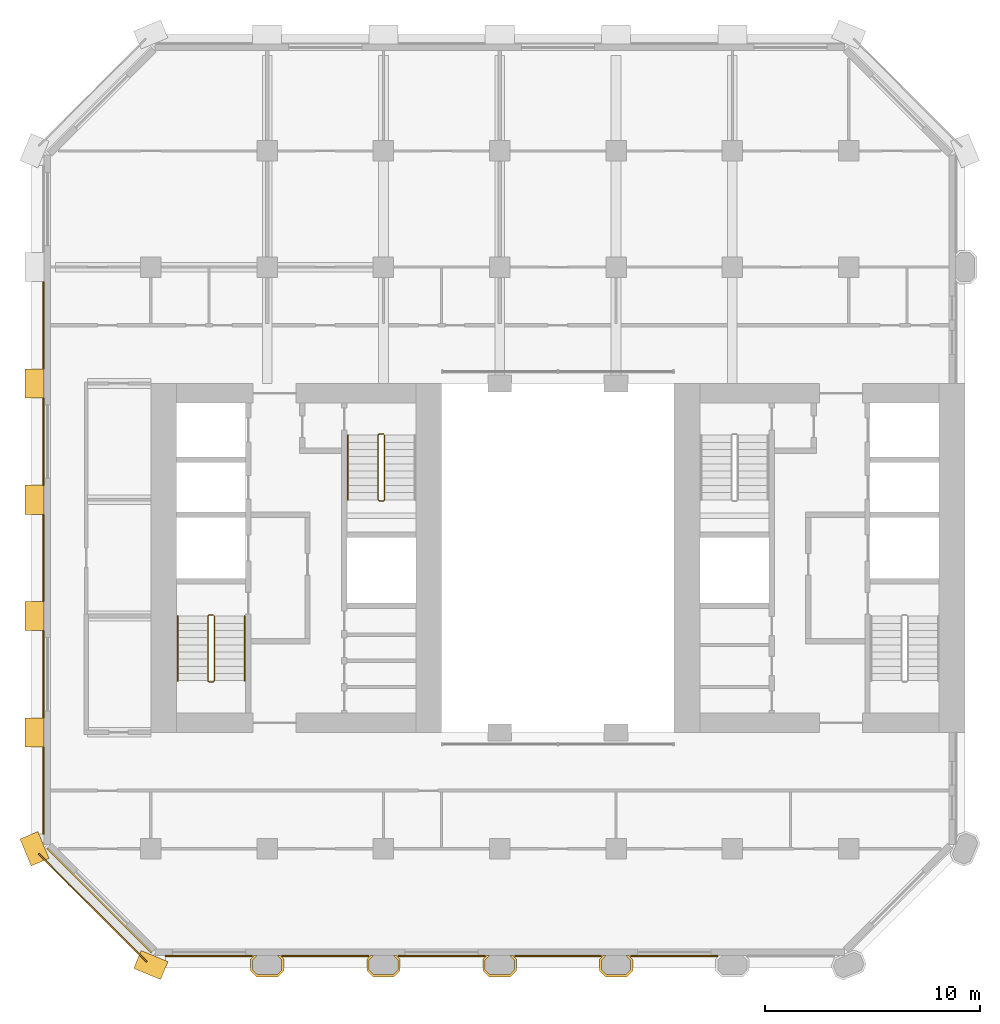
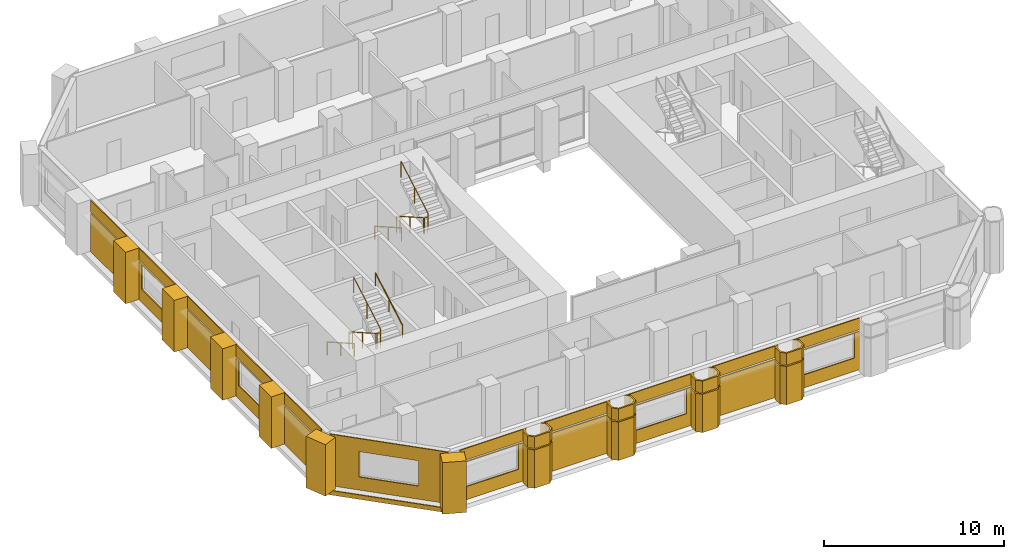
# One storey, part 11 of 13: 36 coverings, 5 railings.
"""IFC4 building model written with IfcOpenShell, lengths in metres."""

from ifc_helpers import new_model, si_unit, direction, frame, frame_2d, origin, origin_2d, place, context, subcontext, project, spatial, polyline, rectangle, circle, outline, extrude, material, layer, layer_set, type_object, element, save


model = new_model("IFC4")

# Units and contexts
model_context = context("Model", 3, precision=1e-05, world=origin(), true_north=direction((0.0, 1.0)))
body_context = subcontext(model_context, "Body", "Model", "MODEL_VIEW")
ifc_project = project(units=[si_unit("LENGTHUNIT", "METRE"), si_unit("AREAUNIT", "SQUARE_METRE"), si_unit("VOLUMEUNIT", "CUBIC_METRE"), si_unit("PLANEANGLEUNIT", "RADIAN"), si_unit("MASSUNIT", "GRAM", prefix="KILO")], contexts=[model_context])

# Site, building, storey
site_placement = place(None, origin())
site = spatial("IfcSite", under=ifc_project, at=site_placement, CompositionType="ELEMENT")
building_placement = place(site_placement, origin())
building = spatial("IfcBuilding", under=site, at=building_placement, Name="Tabaq Tower and Sports Hall", CompositionType="ELEMENT")
storey_placement = place(building_placement, frame((0.0, 0.0, 103.0)))
storey = spatial("IfcBuildingStorey", under=building, at=storey_placement, Name="L24", CompositionType="ELEMENT", Elevation=103.0)

# Coverings
ifc_material_1 = material(Name="Precast concrete C60/75", Category="concrete")
ifc_layer_1 = layer(ifc_material_1, 0.10009765625)
ifc_layer_set_1 = layer_set([ifc_layer_1], Name="Column cladding 100")
covering_type_1 = type_object("IfcCoveringType", Name="Column cladding 100", PredefinedType="CLADDING", material=ifc_layer_set_1)
covering_1_placement = place(storey_placement, origin())
element("IfcCovering", 1, at=covering_1_placement, inside=storey, type_object=covering_type_1, Name="Column cladding L24 PC-3B-O3", PredefinedType="CLADDING", context=body_context, shape_type="SweptSolid", body=[
    extrude(outline(polyline([(10.025390625, 5.666259765625), (10.208740234375, 5.849609375), (10.349365234375, 5.849609375), (10.124755859375, 5.625244140625), (10.124755859375, 5.1748046875), (10.349853515625, 4.94970703125), (11.250244140625, 4.94970703125), (11.475341796875, 5.1748046875), (11.475341796875, 5.625244140625), (11.250732421875, 5.849609375), (11.391357421875, 5.849609375), (11.57470703125, 5.666259765625), (11.57470703125, 5.1337890625), (11.291259765625, 4.850341796875), (10.30859375, 4.850341796875), (10.025390625, 5.1337890625), (10.025390625, 5.666259765625)])), origin(), (0.0, 0.0, 1.0), 2.60009765625),
])
covering_2_placement = place(storey_placement, frame((0.0, 0.0, 2.699951171875)))
element("IfcCovering", 2, at=covering_2_placement, inside=storey, type_object=covering_type_1, Name="Column cladding L24 PC-3B-O3 2", PredefinedType="CLADDING", context=body_context, shape_type="SweptSolid", body=[
    extrude(outline(polyline([(10.025390625, 5.666259765625), (10.208740234375, 5.849609375), (10.349365234375, 5.849609375), (10.124755859375, 5.625244140625), (10.124755859375, 5.1748046875), (10.349853515625, 4.94970703125), (11.250244140625, 4.94970703125), (11.475341796875, 5.1748046875), (11.475341796875, 5.625244140625), (11.250732421875, 5.849609375), (11.391357421875, 5.849609375), (11.57470703125, 5.666259765625), (11.57470703125, 5.1337890625), (11.291259765625, 4.850341796875), (10.30859375, 4.850341796875), (10.025390625, 5.1337890625), (10.025390625, 5.666259765625)])), origin(), (0.0, 0.0, 1.0), 0.800048828125),
])
covering_3_placement = place(storey_placement, origin())
element("IfcCovering", 3, at=covering_3_placement, inside=storey, type_object=covering_type_1, Name="Column cladding L24 PC-4B-O3", PredefinedType="CLADDING", context=body_context, shape_type="SweptSolid", body=[
    extrude(outline(polyline([(15.42529296875, 5.666259765625), (15.608642578125, 5.849609375), (15.749267578125, 5.849609375), (15.524658203125, 5.625244140625), (15.524658203125, 5.1748046875), (15.749755859375, 4.94970703125), (16.650146484375, 4.94970703125), (16.875244140625, 5.1748046875), (16.875244140625, 5.625244140625), (16.650634765625, 5.849609375), (16.791259765625, 5.849609375), (16.974609375, 5.666259765625), (16.974609375, 5.1337890625), (16.69140625, 4.850341796875), (15.708740234375, 4.850341796875), (15.42529296875, 5.1337890625), (15.42529296875, 5.666259765625)])), origin(), (0.0, 0.0, 1.0), 2.60009765625),
])
covering_4_placement = place(storey_placement, frame((0.0, 0.0, 2.699951171875)))
element("IfcCovering", 4, at=covering_4_placement, inside=storey, type_object=covering_type_1, Name="Column cladding L24 PC-4B-O3 2", PredefinedType="CLADDING", context=body_context, shape_type="SweptSolid", body=[
    extrude(outline(polyline([(15.42529296875, 5.666259765625), (15.608642578125, 5.849609375), (15.749267578125, 5.849609375), (15.524658203125, 5.625244140625), (15.524658203125, 5.1748046875), (15.749755859375, 4.94970703125), (16.650146484375, 4.94970703125), (16.875244140625, 5.1748046875), (16.875244140625, 5.625244140625), (16.650634765625, 5.849609375), (16.791259765625, 5.849609375), (16.974609375, 5.666259765625), (16.974609375, 5.1337890625), (16.69140625, 4.850341796875), (15.708740234375, 4.850341796875), (15.42529296875, 5.1337890625), (15.42529296875, 5.666259765625)])), origin(), (0.0, 0.0, 1.0), 0.800048828125),
])
covering_5_placement = place(storey_placement, origin())
element("IfcCovering", 5, at=covering_5_placement, inside=storey, type_object=covering_type_1, Name="Column cladding L24 PC-5B-O3", PredefinedType="CLADDING", context=body_context, shape_type="SweptSolid", body=[
    extrude(outline(polyline([(20.8251953125, 5.666259765625), (21.0087890625, 5.849609375), (21.149169921875, 5.849609375), (20.9248046875, 5.625244140625), (20.9248046875, 5.1748046875), (21.14990234375, 4.94970703125), (22.050048828125, 4.94970703125), (22.275390625, 5.1748046875), (22.275390625, 5.625244140625), (22.05078125, 5.849609375), (22.19140625, 5.849609375), (22.374755859375, 5.666259765625), (22.374755859375, 5.1337890625), (22.09130859375, 4.850341796875), (21.108642578125, 4.850341796875), (20.8251953125, 5.1337890625), (20.8251953125, 5.666259765625)])), origin(), (0.0, 0.0, 1.0), 2.60009765625),
])
covering_6_placement = place(storey_placement, frame((0.0, 0.0, 2.699951171875)))
element("IfcCovering", 6, at=covering_6_placement, inside=storey, type_object=covering_type_1, Name="Column cladding L24 PC-5B-O3 2", PredefinedType="CLADDING", context=body_context, shape_type="SweptSolid", body=[
    extrude(outline(polyline([(20.8251953125, 5.666259765625), (21.0087890625, 5.849609375), (21.149169921875, 5.849609375), (20.9248046875, 5.625244140625), (20.9248046875, 5.1748046875), (21.14990234375, 4.94970703125), (22.050048828125, 4.94970703125), (22.275390625, 5.1748046875), (22.275390625, 5.625244140625), (22.05078125, 5.849609375), (22.19140625, 5.849609375), (22.374755859375, 5.666259765625), (22.374755859375, 5.1337890625), (22.09130859375, 4.850341796875), (21.108642578125, 4.850341796875), (20.8251953125, 5.1337890625), (20.8251953125, 5.666259765625)])), origin(), (0.0, 0.0, 1.0), 0.800048828125),
])
covering_7_placement = place(storey_placement, origin())
element("IfcCovering", 7, at=covering_7_placement, inside=storey, type_object=covering_type_1, Name="Column cladding L24 PC-6B-O3", PredefinedType="CLADDING", context=body_context, shape_type="SweptSolid", body=[
    extrude(outline(polyline([(26.225341796875, 5.666259765625), (26.40869140625, 5.849609375), (26.54931640625, 5.849609375), (26.32470703125, 5.625244140625), (26.32470703125, 5.1748046875), (26.5498046875, 4.94970703125), (27.4501953125, 4.94970703125), (27.67529296875, 5.1748046875), (27.67529296875, 5.625244140625), (27.45068359375, 5.849609375), (27.59130859375, 5.849609375), (27.774658203125, 5.666259765625), (27.774658203125, 5.1337890625), (27.4912109375, 4.850341796875), (26.5087890625, 4.850341796875), (26.225341796875, 5.1337890625), (26.225341796875, 5.666259765625)])), origin(), (0.0, 0.0, 1.0), 2.60009765625),
])
covering_8_placement = place(storey_placement, frame((0.0, 0.0, 2.699951171875)))
element("IfcCovering", 8, at=covering_8_placement, inside=storey, type_object=covering_type_1, Name="Column cladding L24 PC-6B-O3 2", PredefinedType="CLADDING", context=body_context, shape_type="SweptSolid", body=[
    extrude(outline(polyline([(26.225341796875, 5.666259765625), (26.40869140625, 5.849609375), (26.54931640625, 5.849609375), (26.32470703125, 5.625244140625), (26.32470703125, 5.1748046875), (26.5498046875, 4.94970703125), (27.4501953125, 4.94970703125), (27.67529296875, 5.1748046875), (27.67529296875, 5.625244140625), (27.45068359375, 5.849609375), (27.59130859375, 5.849609375), (27.774658203125, 5.666259765625), (27.774658203125, 5.1337890625), (27.4912109375, 4.850341796875), (26.5087890625, 4.850341796875), (26.225341796875, 5.1337890625), (26.225341796875, 5.666259765625)])), origin(), (0.0, 0.0, 1.0), 0.800048828125),
])
ifc_material_2 = material(Name="Precast concrete C60/75", Category="concrete")
ifc_layer_2 = layer(ifc_material_2, 0.06005859375)
ifc_layer_set_2 = layer_set([ifc_layer_2], Name="Edge beam cladding 60")
covering_type_2 = type_object("IfcCoveringType", Name="Edge beam cladding 60", PredefinedType="CLADDING", material=ifc_layer_set_2)
covering_9_placement = place(storey_placement, frame((0.18994140625, 10.567626953125, -0.300048828125), z_axis=(0.0, 0.0, 1.0), x_axis=(0.707106781187, -0.707106781187, 0.0)))
element("IfcCovering", 9, at=covering_9_placement, inside=storey, type_object=covering_type_2, Name="Edge beam cladding L24 5", PredefinedType="CLADDING", context=body_context, shape_type="SweptSolid", body=[
    extrude(rectangle(XDim=7.087890625, YDim=0.06005859375, at=frame_2d((3.5439453125, 0.0))), origin(), (0.0, 0.0, 1.0), 0.300048828125),
])
ifc_material_3 = material(Name="White precast concrete C60/75", Category="concrete")
covering_type_3 = type_object("IfcCoveringType", Name="Pier cladding hung 1350x900", PredefinedType="CLADDING", material=ifc_material_3)
for number, where, z_axis, x_axis, name in (
    (10, (-0.25830078125, 11.423583984375, 0.0), (0.0, 0.0, 1.0), (0.382649923473, -0.923893411637, 0.0), "Hung pier cladding 0/2"),
    (11, (0.0, 16.875, 0.0), (0.0, 0.0, 1.0), (0.0, -1.0, 0.0), "Hung pier cladding 0/3"),
):
    element("IfcCovering", number, at=place(storey_placement, frame(where, z_axis=z_axis, x_axis=x_axis)), inside=storey, type_object=covering_type_3, Name=name, PredefinedType="CLADDING", context=body_context, shape_type="SweptSolid", body=[
        extrude(rectangle(XDim=1.35009765625, YDim=0.89990234375, at=frame_2d((0.675048828125, 0.0))), origin(), (0.0, 0.0, 1.0), 3.5),
    ])
covering_10_placement = place(storey_placement, frame((0.0, 22.27490234375, 0.0), z_axis=(0.0, 0.0, 1.0), x_axis=(0.0, -1.0, 0.0)))
element("IfcCovering", 12, at=covering_10_placement, inside=storey, type_object=covering_type_3, Name="Hung pier cladding 0/4", PredefinedType="CLADDING", context=body_context, shape_type="SweptSolid", body=[
    extrude(rectangle(XDim=1.349853515625, YDim=0.89990234375, at=frame_2d((0.6748046875, 0.0))), origin(), (0.0, 0.0, 1.0), 3.5),
])
covering_11_placement = place(storey_placement, frame((0.0, 27.675048828125, 0.0), z_axis=(0.0, 0.0, 1.0), x_axis=(0.0, -1.0, 0.0)))
element("IfcCovering", 13, at=covering_11_placement, inside=storey, type_object=covering_type_3, Name="Hung pier cladding 0/5", PredefinedType="CLADDING", context=body_context, shape_type="SweptSolid", body=[
    extrude(rectangle(XDim=1.35009765625, YDim=0.89990234375, at=frame_2d((0.675048828125, 0.0))), origin(), (0.0, 0.0, 1.0), 3.5),
])
covering_12_placement = place(storey_placement, frame((0.0, 33.074951171875, 0.0), z_axis=(0.0, 0.0, 1.0), x_axis=(0.0, -1.0, 0.0)))
element("IfcCovering", 14, at=covering_12_placement, inside=storey, type_object=covering_type_3, Name="Hung pier cladding 0/6", PredefinedType="CLADDING", context=body_context, shape_type="SweptSolid", body=[
    extrude(rectangle(XDim=1.349853515625, YDim=0.89990234375, at=frame_2d((0.6748046875, 0.0))), origin(), (0.0, 0.0, 1.0), 3.5),
])
covering_13_placement = place(storey_placement, frame((4.7763671875, 5.658203125, 0.0), z_axis=(0.0, 0.0, 1.0), x_axis=(0.923893411637, -0.382649923473, 0.0)))
element("IfcCovering", 15, at=covering_13_placement, inside=storey, type_object=covering_type_3, Name="Hung pier cladding 1/1", PredefinedType="CLADDING", context=body_context, shape_type="SweptSolid", body=[
    extrude(rectangle(XDim=1.35009765625, YDim=0.89990234375, at=frame_2d((0.675048828125, 0.0))), origin(), (0.0, 0.0, 1.0), 3.5),
])

# Railings
ifc_material_4 = material(Name="Stainless steel", Category="steel")
railing_type_1 = type_object("IfcRailingType", Name="Stair guard", PredefinedType="GUARDRAIL", material=ifc_material_4)
railing_1_placement = place(storey_placement, frame((8.300048828125, 21.64990234375, 0.0)))
element("IfcRailing", 16, at=railing_1_placement, inside=storey, type_object=railing_type_1, Name="L24 ST1 stair guard 1", PredefinedType="GUARDRAIL", context=body_context, shape_type="SweptSolid", body=[
    extrude(circle(Radius=0.02392578125, at=origin_2d()), frame((0.0, 0.0, 1.076171875), z_axis=(-1.0, 0.0, 0.0), x_axis=(0.0, -1.0, 0.0)), (0.0, 0.0, 1.0), 0.199951171875),
    extrude(circle(Radius=0.02392578125, at=origin_2d()), frame((-0.199951171875, 0.0, 1.076171875), z_axis=(-0.246983470365, -0.245778672949, 0.937332389972), x_axis=(0.705375805398, -0.708833529934, 0.0)), (0.0, 0.0, 1.0), 0.20263671875),
    extrude(circle(Radius=0.02392578125, at=origin_2d()), frame((-0.25, -0.0498046875, 1.26611328125), z_axis=(0.0, -0.868782136927, 0.495194505781), x_axis=(1.0, 0.0, 0.0)), (0.0, 0.0, 1.0), 3.453125),
    extrude(circle(Radius=0.02392578125, at=origin_2d()), frame((-0.25, -3.0498046875, 2.97607421875), z_axis=(0.707106781187, -0.707106781187, 0.0), x_axis=(0.707106781187, 0.707106781187, 0.0)), (0.0, 0.0, 1.0), 0.07080078125),
    extrude(circle(Radius=0.02392578125, at=origin_2d()), frame((-0.199951171875, -3.099853515625, 2.97607421875), z_axis=(1.0, 0.0, 0.0), x_axis=(0.0, 1.0, 0.0)), (0.0, 0.0, 1.0), 0.199951171875),
    extrude(circle(Radius=0.02392578125, at=origin_2d()), frame((0.0, -3.099853515625, 2.97607421875), z_axis=(0.246631811833, 0.246631811833, 0.937200884967), x_axis=(-0.707106781187, 0.707106781187, 0.0)), (0.0, 0.0, 1.0), 0.202880859375),
    extrude(circle(Radius=0.02392578125, at=origin_2d()), frame((0.050048828125, -3.0498046875, 3.166015625), z_axis=(0.0, 0.868782136927, 0.495194505781), x_axis=(-1.0, 0.0, 0.0)), (0.0, 0.0, 1.0), 3.453125),
    extrude(circle(Radius=0.02099609375, at=origin_2d()), origin(), (0.0, 0.0, 1.0), 1.052001953125),
    extrude(circle(Radius=0.02099609375, at=origin_2d()), frame((-0.199951171875, 0.0, 0.0)), (0.0, 0.0, 1.0), 1.052001953125),
    extrude(circle(Radius=0.02099609375, at=origin_2d()), frame((-0.25, -0.0498046875, 0.18994140625)), (0.0, 0.0, 1.0), 1.052001953125),
    extrude(circle(Radius=0.02099609375, at=origin_2d()), frame((-0.25, -1.5498046875, 1.044921875)), (0.0, 0.0, 1.0), 1.052001953125),
    extrude(circle(Radius=0.02099609375, at=origin_2d()), frame((-0.25, -3.0498046875, 1.89990234375)), (0.0, 0.0, 1.0), 1.052001953125),
    extrude(circle(Radius=0.02099609375, at=origin_2d()), frame((-0.199951171875, -3.099853515625, 1.89990234375)), (0.0, 0.0, 1.0), 1.052001953125),
    extrude(circle(Radius=0.02099609375, at=origin_2d()), frame((0.0, -3.099853515625, 1.89990234375)), (0.0, 0.0, 1.0), 1.052001953125),
    extrude(circle(Radius=0.02099609375, at=origin_2d()), frame((0.050048828125, -3.0498046875, 2.090087890625)), (0.0, 0.0, 1.0), 1.052001953125),
    extrude(circle(Radius=0.02099609375, at=origin_2d()), frame((0.050048828125, -1.5498046875, 2.945068359375)), (0.0, 0.0, 1.0), 1.052001953125),
    extrude(circle(Radius=0.02099609375, at=origin_2d()), frame((0.050048828125, -0.0498046875, 3.800048828125)), (0.0, 0.0, 1.0), 1.052001953125),
])
railing_2_placement = place(storey_placement, frame((16.199951171875, 30.050048828125, 0.0)))
element("IfcRailing", 17, at=railing_2_placement, inside=storey, type_object=railing_type_1, Name="L24 ST2 stair guard 1", PredefinedType="GUARDRAIL", context=body_context, shape_type="SweptSolid", body=[
    extrude(circle(Radius=0.02392578125, at=origin_2d()), frame((0.0, 0.0, 1.076171875), z_axis=(-1.0, 0.0, 0.0), x_axis=(0.0, -1.0, 0.0)), (0.0, 0.0, 1.0), 0.199951171875),
    extrude(circle(Radius=0.02392578125, at=origin_2d()), frame((-0.199951171875, 0.0, 1.076171875), z_axis=(-0.246910188598, -0.246910188598, 0.937054276727), x_axis=(0.707106781187, -0.707106781187, 0.0)), (0.0, 0.0, 1.0), 0.20263671875),
    extrude(circle(Radius=0.02392578125, at=origin_2d()), frame((-0.25, -0.050048828125, 1.26611328125), z_axis=(0.0, -0.868782136927, 0.495194505781), x_axis=(1.0, 0.0, 0.0)), (0.0, 0.0, 1.0), 3.453125),
    extrude(circle(Radius=0.02392578125, at=origin_2d()), frame((-0.25, -3.050048828125, 2.97607421875), z_axis=(0.707106781187, -0.707106781187, 0.0), x_axis=(0.707106781187, 0.707106781187, 0.0)), (0.0, 0.0, 1.0), 0.07080078125),
    extrude(circle(Radius=0.02392578125, at=origin_2d()), frame((-0.199951171875, -3.10009765625, 2.97607421875), z_axis=(1.0, 0.0, 0.0), x_axis=(0.0, 1.0, 0.0)), (0.0, 0.0, 1.0), 0.199951171875),
    extrude(circle(Radius=0.02392578125, at=origin_2d()), frame((0.0, -3.10009765625, 2.97607421875), z_axis=(0.246631811833, 0.246631811833, 0.937200884967), x_axis=(-0.707106781187, 0.707106781187, 0.0)), (0.0, 0.0, 1.0), 0.202880859375),
    extrude(circle(Radius=0.02392578125, at=origin_2d()), frame((0.050048828125, -3.050048828125, 3.166015625), z_axis=(0.0, 0.868782136927, 0.495194505781), x_axis=(-1.0, 0.0, 0.0)), (0.0, 0.0, 1.0), 3.453125),
    extrude(circle(Radius=0.02099609375, at=origin_2d()), origin(), (0.0, 0.0, 1.0), 1.052001953125),
    extrude(circle(Radius=0.02099609375, at=origin_2d()), frame((-0.199951171875, 0.0, 0.0)), (0.0, 0.0, 1.0), 1.052001953125),
    extrude(circle(Radius=0.02099609375, at=origin_2d()), frame((-0.25, -0.050048828125, 0.18994140625)), (0.0, 0.0, 1.0), 1.052001953125),
    extrude(circle(Radius=0.02099609375, at=origin_2d()), frame((-0.25, -1.550048828125, 1.044921875)), (0.0, 0.0, 1.0), 1.052001953125),
    extrude(circle(Radius=0.02099609375, at=origin_2d()), frame((-0.25, -3.050048828125, 1.89990234375)), (0.0, 0.0, 1.0), 1.052001953125),
    extrude(circle(Radius=0.02099609375, at=origin_2d()), frame((-0.199951171875, -3.10009765625, 1.89990234375)), (0.0, 0.0, 1.0), 1.052001953125),
    extrude(circle(Radius=0.02099609375, at=origin_2d()), frame((0.0, -3.10009765625, 1.89990234375)), (0.0, 0.0, 1.0), 1.052001953125),
    extrude(circle(Radius=0.02099609375, at=origin_2d()), frame((0.050048828125, -3.050048828125, 2.090087890625)), (0.0, 0.0, 1.0), 1.052001953125),
    extrude(circle(Radius=0.02099609375, at=origin_2d()), frame((0.050048828125, -1.550048828125, 2.945068359375)), (0.0, 0.0, 1.0), 1.052001953125),
    extrude(circle(Radius=0.02099609375, at=origin_2d()), frame((0.050048828125, -0.050048828125, 3.800048828125)), (0.0, 0.0, 1.0), 1.052001953125),
])
ifc_material_5 = material(Name="Stainless steel", Category="steel")
railing_type_2 = type_object("IfcRailingType", Name="Stair handrail", PredefinedType="HANDRAIL", material=ifc_material_5)
railing_3_placement = place(storey_placement, frame((6.64990234375, 21.60009765625, 0.18994140625)))
element("IfcRailing", 18, at=railing_3_placement, inside=storey, type_object=railing_type_2, Name="L24 ST1 stair handrail 1", PredefinedType="HANDRAIL", context=body_context, shape_type="SweptSolid", body=[
    extrude(circle(Radius=0.02392578125, at=origin_2d()), frame((0.0, 0.0, 0.8759765625), z_axis=(0.0, -0.868782136927, 0.495194505781), x_axis=(1.0, 0.0, 0.0)), (0.0, 0.0, 1.0), 3.453125),
    extrude(circle(Radius=0.02099609375, at=origin_2d()), origin(), (0.0, 0.0, 1.0), 0.851806640625),
    extrude(circle(Radius=0.02099609375, at=origin_2d()), frame((0.0, -1.5, 0.85498046875)), (0.0, 0.0, 1.0), 0.851806640625),
    extrude(circle(Radius=0.02099609375, at=origin_2d()), frame((0.0, -3.0, 1.7099609375)), (0.0, 0.0, 1.0), 0.851806640625),
])
railing_4_placement = place(storey_placement, frame((9.75, 18.60009765625, 2.090087890625)))
element("IfcRailing", 19, at=railing_4_placement, inside=storey, type_object=railing_type_2, Name="L24 ST1 stair handrail 2", PredefinedType="HANDRAIL", context=body_context, shape_type="SweptSolid", body=[
    extrude(circle(Radius=0.02392578125, at=origin_2d()), frame((0.0, 0.0, 0.8759765625), z_axis=(0.0, 0.868782136927, 0.495194505781), x_axis=(-1.0, 0.0, 0.0)), (0.0, 0.0, 1.0), 3.453125),
    extrude(circle(Radius=0.02099609375, at=origin_2d()), origin(), (0.0, 0.0, 1.0), 0.851806640625),
    extrude(circle(Radius=0.02099609375, at=origin_2d()), frame((0.0, 1.5, 0.85498046875)), (0.0, 0.0, 1.0), 0.851806640625),
    extrude(circle(Radius=0.02099609375, at=origin_2d()), frame((0.0, 3.0, 1.7099609375)), (0.0, 0.0, 1.0), 0.851806640625),
])
railing_5_placement = place(storey_placement, frame((14.550048828125, 30.0, 0.18994140625)))
element("IfcRailing", 20, at=railing_5_placement, inside=storey, type_object=railing_type_2, Name="L24 ST2 stair handrail 1", PredefinedType="HANDRAIL", context=body_context, shape_type="SweptSolid", body=[
    extrude(circle(Radius=0.02392578125, at=origin_2d()), frame((0.0, 0.0, 0.8759765625), z_axis=(0.0, -0.868782136927, 0.495194505781), x_axis=(1.0, 0.0, 0.0)), (0.0, 0.0, 1.0), 3.453125),
    extrude(circle(Radius=0.02099609375, at=origin_2d()), origin(), (0.0, 0.0, 1.0), 0.851806640625),
    extrude(circle(Radius=0.02099609375, at=origin_2d()), frame((0.0, -1.5, 0.85498046875)), (0.0, 0.0, 1.0), 0.851806640625),
    extrude(circle(Radius=0.02099609375, at=origin_2d()), frame((0.0, -3.0, 1.7099609375)), (0.0, 0.0, 1.0), 0.851806640625),
])

# Coverings
ifc_material_6 = material(Name="Precast concrete C60/75", Category="concrete")
ifc_layer_3 = layer(ifc_material_6, 0.06005859375)
ifc_layer_set_3 = layer_set([ifc_layer_3], Name="White precast cladding panel 60 C60/75")
covering_type_4 = type_object("IfcCoveringType", Name="White precast cladding panel 60 C60/75", PredefinedType="CLADDING", material=ifc_layer_set_3)
covering_14_placement = place(storey_placement, frame((6.06494140625, 5.820068359375, 0.0), z_axis=(0.0, 0.0, 1.0), x_axis=(1.0, 0.0, 0.0)))
element("IfcCovering", 21, at=covering_14_placement, inside=storey, type_object=covering_type_4, Name="White precast cladding panel L24 wall00", PredefinedType="CLADDING", context=body_context, shape_type="SweptSolid", body=[
    extrude(outline(polyline([(0.0, 0.0), (4.050048828125, 0.0), (4.050048828125, 2.590087890625), (0.0, 2.590087890625), (0.0, 0.0)]), holes=[polyline([(3.7451171875, 0.889892578125), (0.324951171875, 0.889892578125), (0.324951171875, 2.56005859375), (3.7451171875, 2.56005859375), (3.7451171875, 0.889892578125)])]), frame((0.0, 0.030029296875, 0.0), z_axis=(0.0, -1.0, 0.0), x_axis=(1.0, 0.0, 0.0)), (0.0, 0.0, 1.0), 0.06005859375),
])
covering_15_placement = place(storey_placement, frame((6.06494140625, 5.820068359375, 2.7099609375), z_axis=(0.0, 0.0, 1.0), x_axis=(1.0, 0.0, 0.0)))
element("IfcCovering", 22, at=covering_15_placement, inside=storey, type_object=covering_type_4, Name="White precast cladding panel L24 wall00 2", PredefinedType="CLADDING", context=body_context, shape_type="SweptSolid", body=[
    extrude(rectangle(XDim=4.050048828125, YDim=0.06005859375, at=frame_2d((2.02490234375, 0.0))), origin(), (0.0, 0.0, 1.0), 0.7900390625),
])
covering_16_placement = place(storey_placement, frame((11.485107421875, 5.820068359375, 0.0), z_axis=(0.0, 0.0, 1.0), x_axis=(1.0, 0.0, 0.0)))
element("IfcCovering", 23, at=covering_16_placement, inside=storey, type_object=covering_type_4, Name="White precast cladding panel L24 wall00 3", PredefinedType="CLADDING", context=body_context, shape_type="SweptSolid", body=[
    extrude(rectangle(XDim=4.02978515625, YDim=0.06005859375, at=frame_2d((2.014892578125, 0.0))), origin(), (0.0, 0.0, 1.0), 2.590087890625),
])
covering_17_placement = place(storey_placement, frame((11.485107421875, 5.820068359375, 2.7099609375), z_axis=(0.0, 0.0, 1.0), x_axis=(1.0, 0.0, 0.0)))
element("IfcCovering", 24, at=covering_17_placement, inside=storey, type_object=covering_type_4, Name="White precast cladding panel L24 wall00 4", PredefinedType="CLADDING", context=body_context, shape_type="SweptSolid", body=[
    extrude(rectangle(XDim=4.02978515625, YDim=0.06005859375, at=frame_2d((2.014892578125, 0.0))), origin(), (0.0, 0.0, 1.0), 0.7900390625),
])
covering_18_placement = place(storey_placement, frame((16.885009765625, 5.820068359375, 0.0), z_axis=(0.0, 0.0, 1.0), x_axis=(1.0, 0.0, 0.0)))
element("IfcCovering", 25, at=covering_18_placement, inside=storey, type_object=covering_type_4, Name="White precast cladding panel L24 wall00 5", PredefinedType="CLADDING", context=body_context, shape_type="SweptSolid", body=[
    extrude(outline(polyline([(0.0, 0.0), (4.030029296875, 0.0), (4.030029296875, 2.590087890625), (0.0, 2.590087890625), (0.0, 0.0)]), holes=[polyline([(3.72509765625, 0.889892578125), (0.304931640625, 0.889892578125), (0.304931640625, 2.56005859375), (3.72509765625, 2.56005859375), (3.72509765625, 0.889892578125)])]), frame((0.0, 0.030029296875, 0.0), z_axis=(0.0, -1.0, 0.0), x_axis=(1.0, 0.0, 0.0)), (0.0, 0.0, 1.0), 0.06005859375),
])
covering_19_placement = place(storey_placement, frame((16.885009765625, 5.820068359375, 2.7099609375), z_axis=(0.0, 0.0, 1.0), x_axis=(1.0, 0.0, 0.0)))
element("IfcCovering", 26, at=covering_19_placement, inside=storey, type_object=covering_type_4, Name="White precast cladding panel L24 wall00 6", PredefinedType="CLADDING", context=body_context, shape_type="SweptSolid", body=[
    extrude(rectangle(XDim=4.030029296875, YDim=0.06005859375, at=frame_2d((2.01513671875, 0.0))), origin(), (0.0, 0.0, 1.0), 0.7900390625),
])
covering_20_placement = place(storey_placement, frame((22.284912109375, 5.820068359375, 0.0), z_axis=(0.0, 0.0, 1.0), x_axis=(1.0, 0.0, 0.0)))
element("IfcCovering", 27, at=covering_20_placement, inside=storey, type_object=covering_type_4, Name="White precast cladding panel L24 wall00 7", PredefinedType="CLADDING", context=body_context, shape_type="SweptSolid", body=[
    extrude(rectangle(XDim=4.030029296875, YDim=0.06005859375, at=frame_2d((2.01513671875, 0.0))), origin(), (0.0, 0.0, 1.0), 2.590087890625),
])
covering_21_placement = place(storey_placement, frame((22.284912109375, 5.820068359375, 2.7099609375), z_axis=(0.0, 0.0, 1.0), x_axis=(1.0, 0.0, 0.0)))
element("IfcCovering", 28, at=covering_21_placement, inside=storey, type_object=covering_type_4, Name="White precast cladding panel L24 wall00 8", PredefinedType="CLADDING", context=body_context, shape_type="SweptSolid", body=[
    extrude(rectangle(XDim=4.030029296875, YDim=0.06005859375, at=frame_2d((2.01513671875, 0.0))), origin(), (0.0, 0.0, 1.0), 0.7900390625),
])
covering_22_placement = place(storey_placement, frame((27.68505859375, 5.820068359375, 0.0), z_axis=(0.0, 0.0, 1.0), x_axis=(1.0, 0.0, 0.0)))
element("IfcCovering", 29, at=covering_22_placement, inside=storey, type_object=covering_type_4, Name="White precast cladding panel L24 wall00 9", PredefinedType="CLADDING", context=body_context, shape_type="SweptSolid", body=[
    extrude(outline(polyline([(0.0, 0.0), (4.030029296875, 0.0), (4.030029296875, 2.590087890625), (0.0, 2.590087890625), (0.0, 0.0)]), holes=[polyline([(3.72509765625, 0.889892578125), (0.304931640625, 0.889892578125), (0.304931640625, 2.56005859375), (3.72509765625, 2.56005859375), (3.72509765625, 0.889892578125)])]), frame((0.0, 0.030029296875, 0.0), z_axis=(0.0, -1.0, 0.0), x_axis=(1.0, 0.0, 0.0)), (0.0, 0.0, 1.0), 0.06005859375),
])
covering_23_placement = place(storey_placement, frame((27.68505859375, 5.820068359375, 2.7099609375), z_axis=(0.0, 0.0, 1.0), x_axis=(1.0, 0.0, 0.0)))
element("IfcCovering", 30, at=covering_23_placement, inside=storey, type_object=covering_type_4, Name="White precast cladding panel L24 wall00 10", PredefinedType="CLADDING", context=body_context, shape_type="SweptSolid", body=[
    extrude(rectangle(XDim=4.030029296875, YDim=0.06005859375, at=frame_2d((2.01513671875, 0.0))), origin(), (0.0, 0.0, 1.0), 0.7900390625),
])
covering_24_placement = place(storey_placement, frame((0.419921875, 37.114990234375, 0.0), z_axis=(0.0, 0.0, 1.0), x_axis=(0.0, -1.0, 0.0)))
element("IfcCovering", 31, at=covering_24_placement, inside=storey, type_object=covering_type_4, Name="White precast cladding panel L24 wall06 3", PredefinedType="CLADDING", context=body_context, shape_type="SweptSolid", body=[
    extrude(rectangle(XDim=4.030029296875, YDim=0.06005859375, at=frame_2d((2.01513671875, 0.0))), origin(), (0.0, 0.0, 1.0), 2.590087890625),
])
covering_25_placement = place(storey_placement, frame((0.419921875, 37.114990234375, 2.7099609375), z_axis=(0.0, 0.0, 1.0), x_axis=(0.0, -1.0, 0.0)))
element("IfcCovering", 32, at=covering_25_placement, inside=storey, type_object=covering_type_4, Name="White precast cladding panel L24 wall06 4", PredefinedType="CLADDING", context=body_context, shape_type="SweptSolid", body=[
    extrude(rectangle(XDim=4.030029296875, YDim=0.06005859375, at=frame_2d((2.01513671875, 0.0))), origin(), (0.0, 0.0, 1.0), 0.7900390625),
])
covering_26_placement = place(storey_placement, frame((0.419921875, 31.715087890625, 0.0), z_axis=(0.0, 0.0, 1.0), x_axis=(0.0, -1.0, 0.0)))
element("IfcCovering", 33, at=covering_26_placement, inside=storey, type_object=covering_type_4, Name="White precast cladding panel L24 wall06 5", PredefinedType="CLADDING", context=body_context, shape_type="SweptSolid", body=[
    extrude(outline(polyline([(0.0, 0.0), (4.030029296875, 0.0), (4.030029296875, 2.590087890625), (0.0, 2.590087890625), (0.0, 0.0)]), holes=[polyline([(3.72509765625, 0.889892578125), (0.304931640625, 0.889892578125), (0.304931640625, 2.56005859375), (3.72509765625, 2.56005859375), (3.72509765625, 0.889892578125)])]), frame((0.0, 0.030029296875, 0.0), z_axis=(0.0, -1.0, 0.0), x_axis=(1.0, 0.0, 0.0)), (0.0, 0.0, 1.0), 0.06005859375),
])
covering_27_placement = place(storey_placement, frame((0.419921875, 31.715087890625, 2.7099609375), z_axis=(0.0, 0.0, 1.0), x_axis=(0.0, -1.0, 0.0)))
element("IfcCovering", 34, at=covering_27_placement, inside=storey, type_object=covering_type_4, Name="White precast cladding panel L24 wall06 6", PredefinedType="CLADDING", context=body_context, shape_type="SweptSolid", body=[
    extrude(rectangle(XDim=4.030029296875, YDim=0.06005859375, at=frame_2d((2.01513671875, 0.0))), origin(), (0.0, 0.0, 1.0), 0.7900390625),
])
covering_28_placement = place(storey_placement, frame((0.419921875, 26.31494140625, 0.0), z_axis=(0.0, 0.0, 1.0), x_axis=(0.0, -1.0, 0.0)))
element("IfcCovering", 35, at=covering_28_placement, inside=storey, type_object=covering_type_4, Name="White precast cladding panel L24 wall06 7", PredefinedType="CLADDING", context=body_context, shape_type="SweptSolid", body=[
    extrude(rectangle(XDim=4.030029296875, YDim=0.06005859375, at=frame_2d((2.01513671875, 0.0))), origin(), (0.0, 0.0, 1.0), 2.590087890625),
])
covering_29_placement = place(storey_placement, frame((0.419921875, 26.31494140625, 2.7099609375), z_axis=(0.0, 0.0, 1.0), x_axis=(0.0, -1.0, 0.0)))
element("IfcCovering", 36, at=covering_29_placement, inside=storey, type_object=covering_type_4, Name="White precast cladding panel L24 wall06 8", PredefinedType="CLADDING", context=body_context, shape_type="SweptSolid", body=[
    extrude(rectangle(XDim=4.030029296875, YDim=0.06005859375, at=frame_2d((2.01513671875, 0.0))), origin(), (0.0, 0.0, 1.0), 0.7900390625),
])
covering_30_placement = place(storey_placement, frame((0.419921875, 20.9150390625, 0.0), z_axis=(0.0, 0.0, 1.0), x_axis=(0.0, -1.0, 0.0)))
element("IfcCovering", 37, at=covering_30_placement, inside=storey, type_object=covering_type_4, Name="White precast cladding panel L24 wall06 9", PredefinedType="CLADDING", context=body_context, shape_type="SweptSolid", body=[
    extrude(outline(polyline([(0.0, 0.0), (4.030029296875, 0.0), (4.030029296875, 2.590087890625), (0.0, 2.590087890625), (0.0, 0.0)]), holes=[polyline([(3.72509765625, 0.889892578125), (0.304931640625, 0.889892578125), (0.304931640625, 2.56005859375), (3.72509765625, 2.56005859375), (3.72509765625, 0.889892578125)])]), frame((0.0, 0.030029296875, 0.0), z_axis=(0.0, -1.0, 0.0), x_axis=(1.0, 0.0, 0.0)), (0.0, 0.0, 1.0), 0.06005859375),
])
covering_31_placement = place(storey_placement, frame((0.419921875, 20.9150390625, 2.7099609375), z_axis=(0.0, 0.0, 1.0), x_axis=(0.0, -1.0, 0.0)))
element("IfcCovering", 38, at=covering_31_placement, inside=storey, type_object=covering_type_4, Name="White precast cladding panel L24 wall06 10", PredefinedType="CLADDING", context=body_context, shape_type="SweptSolid", body=[
    extrude(rectangle(XDim=4.030029296875, YDim=0.06005859375, at=frame_2d((2.01513671875, 0.0))), origin(), (0.0, 0.0, 1.0), 0.7900390625),
])
covering_32_placement = place(storey_placement, frame((0.419921875, 15.514892578125, 0.0), z_axis=(0.0, 0.0, 1.0), x_axis=(0.0, -1.0, 0.0)))
element("IfcCovering", 39, at=covering_32_placement, inside=storey, type_object=covering_type_4, Name="White precast cladding panel L24 wall06 11", PredefinedType="CLADDING", context=body_context, shape_type="SweptSolid", body=[
    extrude(rectangle(XDim=4.0498046875, YDim=0.06005859375, at=frame_2d((2.02490234375, 0.0))), origin(), (0.0, 0.0, 1.0), 2.590087890625),
])
covering_33_placement = place(storey_placement, frame((0.419921875, 15.514892578125, 2.7099609375), z_axis=(0.0, 0.0, 1.0), x_axis=(0.0, -1.0, 0.0)))
element("IfcCovering", 40, at=covering_33_placement, inside=storey, type_object=covering_type_4, Name="White precast cladding panel L24 wall06 12", PredefinedType="CLADDING", context=body_context, shape_type="SweptSolid", body=[
    extrude(rectangle(XDim=4.0498046875, YDim=0.06005859375, at=frame_2d((2.02490234375, 0.0))), origin(), (0.0, 0.0, 1.0), 0.7900390625),
])
covering_34_placement = place(storey_placement, frame((0.57177734375, 10.822265625, 0.0), z_axis=(0.0, 0.0, 1.0), x_axis=(0.707106781187, -0.707106781187, 0.0)))
element("IfcCovering", 41, at=covering_34_placement, inside=storey, type_object=covering_type_4, Name="White precast cladding panel L24 wall07", PredefinedType="CLADDING", context=body_context, shape_type="SweptSolid", body=[
    extrude(outline(polyline([(0.0, 0.0), (6.85986328125, 0.0), (6.85986328125, 3.5), (0.0, 3.5), (0.0, 0.0)]), holes=[polyline([(1.7197265625, 0.889892578125), (1.7197265625, 2.610107421875), (5.139892578125, 2.610107421875), (5.139892578125, 0.889892578125), (1.7197265625, 0.889892578125)])]), frame((0.0, 0.030029296875, 0.0), z_axis=(0.0, -1.0, 0.0), x_axis=(1.0, 0.0, 0.0)), (0.0, 0.0, 1.0), 0.06005859375),
])

save(model, "model.ifc")
